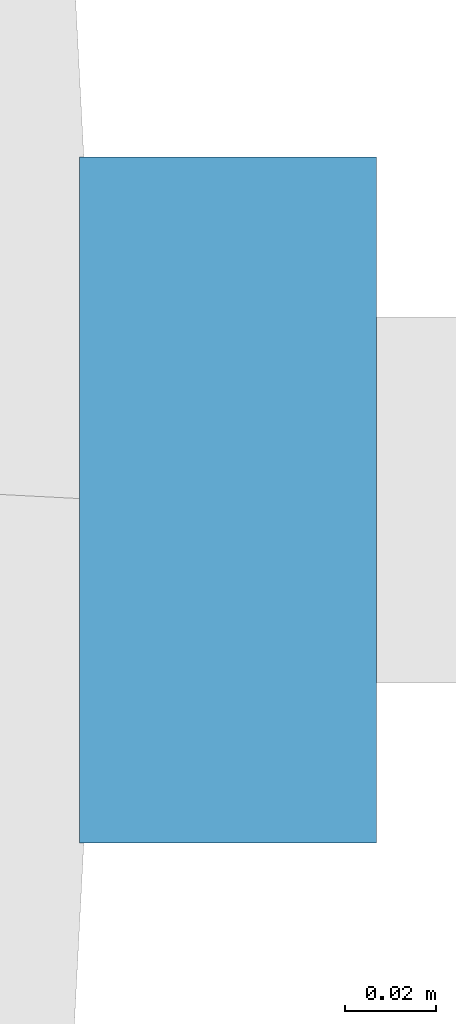
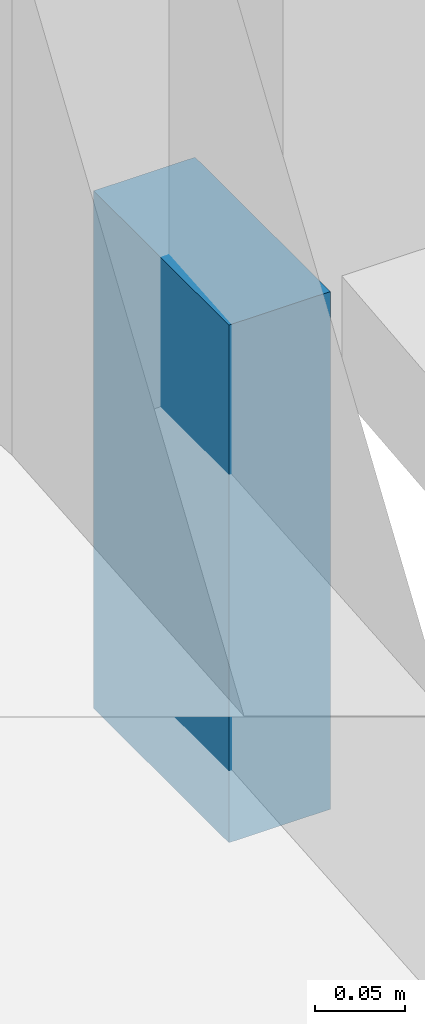
# One storey, part 16 of 20: 1 discrete accessory.
"""IFC4 building model written with IfcOpenShell, lengths in metres."""

from ifc_helpers import new_model, si_unit, direction, frame, origin, origin_2d, place, context, subcontext, project, spatial, rectangle, extrude, material, type_object, element, save


model = new_model("IFC4")

# Units and contexts
model_context = context("Model", 3, precision=1e-05, world=origin(), true_north=direction((0.0, 1.0)))
body_context = subcontext(model_context, "Body", "Model", "MODEL_VIEW")
ifc_project = project(units=[si_unit("LENGTHUNIT", "METRE"), si_unit("AREAUNIT", "SQUARE_METRE"), si_unit("VOLUMEUNIT", "CUBIC_METRE"), si_unit("PLANEANGLEUNIT", "RADIAN"), si_unit("MASSUNIT", "GRAM", prefix="KILO")], contexts=[model_context])

# Site, building, storey
site_placement = place(None, origin())
site = spatial("IfcSite", under=ifc_project, at=site_placement, CompositionType="ELEMENT")
building_placement = place(site_placement, origin())
building = spatial("IfcBuilding", under=site, at=building_placement, Name="Ghaith Harvest Tower", CompositionType="ELEMENT")
storey_placement = place(building_placement, frame((0.0, 0.0, 85.0)))
storey = spatial("IfcBuildingStorey", under=building, at=storey_placement, Name="L17", CompositionType="ELEMENT", Elevation=85.0)

# Discrete accessory
ifc_material = material(Name="Stainless steel grade 1.4401", Category="steel")
discrete_accessory_type = type_object("IfcDiscreteAccessoryType", Name="CURTAIN WALL BRACKET 65", PredefinedType="BRACKET", material=ifc_material)
discrete_accessory_placement = place(storey_placement, frame((34.152587890625, 0.0, -0.25), z_axis=(0.0, 0.0, 1.0), x_axis=(1.0, 0.0, 0.0)))
element("IfcDiscreteAccessory", 1, at=discrete_accessory_placement, inside=storey, type_object=discrete_accessory_type, Name="CW-F bracket 1 bay 01 L17", PredefinedType="BRACKET", context=body_context, shape_type="SweptSolid", body=[
    extrude(rectangle(XDim=0.06494140625, YDim=0.14990234375, at=origin_2d()), origin(), (0.0, 0.0, 1.0), 0.35009765625),
])

save(model, "model.ifc")
